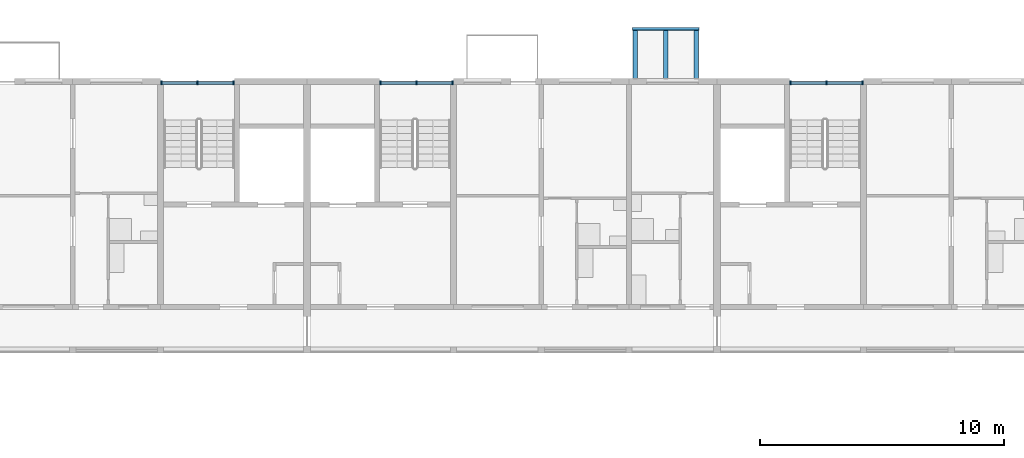
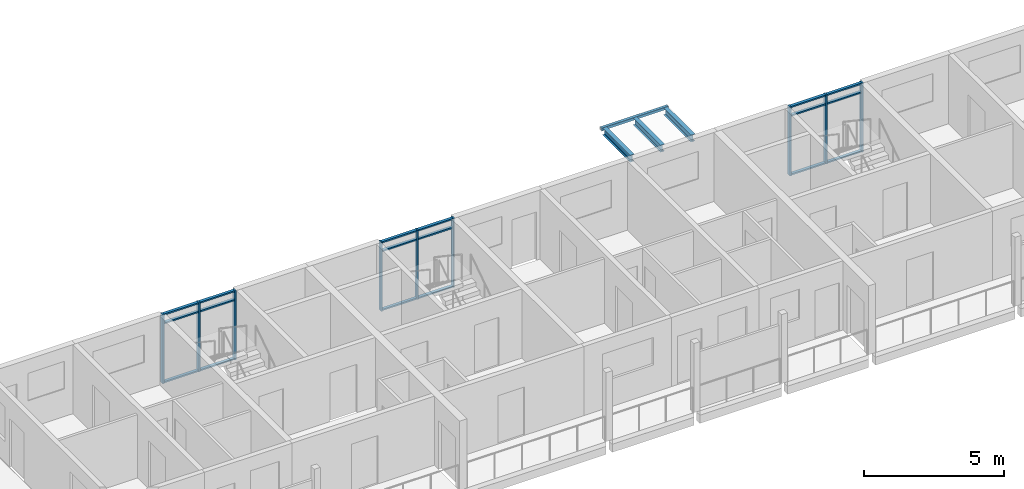
# One storey, part 11 of 93: 27 members, 4 beams, 3 elements without a shape of their own.
"""IFC4 building model written with IfcOpenShell, lengths in metres."""

from ifc_helpers import new_model, si_unit, direction, frame, origin, origin_2d, place, context, subcontext, project, spatial, rectangle, hollow_rectangle, i_section, extrude, material, material_profile, profile_set, type_object, element, aggregate, save


model = new_model("IFC4")

# Units and contexts
model_context = context("Model", 3, precision=1e-05, world=origin(), true_north=direction((0.0, 1.0)))
body_context = subcontext(model_context, "Body", "Model", "MODEL_VIEW")
ifc_project = project(units=[si_unit("LENGTHUNIT", "METRE"), si_unit("AREAUNIT", "SQUARE_METRE"), si_unit("VOLUMEUNIT", "CUBIC_METRE"), si_unit("PLANEANGLEUNIT", "RADIAN"), si_unit("MASSUNIT", "GRAM", prefix="KILO")], contexts=[model_context])

# Site, building, storey
site_placement = place(None, origin())
site = spatial("IfcSite", under=ifc_project, at=site_placement, CompositionType="ELEMENT")
building_placement = place(site_placement, origin())
building = spatial("IfcBuilding", under=site, at=building_placement, Name="Ridgestep Commons", CompositionType="ELEMENT")
storey_placement = place(building_placement, frame((0.0, 0.0, 18.0)))
storey = spatial("IfcBuildingStorey", under=building, at=storey_placement, Name="L06", CompositionType="ELEMENT", Elevation=18.0)

# Curtain wall, members
ifc_material_1 = material(Name="Aluminium 6063-T6 and glass", Category="aluminium")
curtain_wall_type = type_object("IfcCurtainWallType", Name="Curtain wall stair strip", PredefinedType="NOTDEFINED", material=ifc_material_1)
curtain_wall_1_placement = place(storey_placement, origin())
curtain_wall_1 = element("IfcCurtainWall", 1, at=curtain_wall_1_placement, inside=storey, type_object=curtain_wall_type, Name="Curtain wall B1C level 06", PredefinedType="NOTDEFINED")
ifc_material_2 = material(Name="Aluminium 6063-T6", Category="aluminium")
ifc_material_profile_1 = material_profile(ifc_material_2, rectangle(XDim=0.159912109375, YDim=0.06005859375, at=origin_2d()), Name="Mullion 60 x 160")
ifc_profile_set_1 = profile_set([ifc_material_profile_1], Name="Aluminium 6063-T6")
member_type_1 = type_object("IfcMemberType", Name="Mullion 60 x 160", PredefinedType="MULLION", material=ifc_profile_set_1)
member_1_placement = place(storey_placement, frame((22.830078125, 77.080078125, 0.0), z_axis=(0.0, 0.0, 1.0), x_axis=(0.0, 1.0, 0.0)))
member_1 = element("IfcMember", 2, at=member_1_placement, type_object=member_type_1, Name="CW1 mullion 1", PredefinedType="MULLION", context=body_context, shape_type="SweptSolid", body=[
    extrude(rectangle(XDim=0.159912109375, YDim=0.06005859375, at=origin_2d()), origin(), (0.0, 0.0, 1.0), 3.0),
])
member_2_placement = place(storey_placement, frame((24.3125, 77.080078125, 0.0), z_axis=(0.0, 0.0, 1.0), x_axis=(0.0, 1.0, 0.0)))
member_2 = element("IfcMember", 3, at=member_2_placement, type_object=member_type_1, Name="CW1 mullion 2", PredefinedType="MULLION", context=body_context, shape_type="SweptSolid", body=[
    extrude(rectangle(XDim=0.159912109375, YDim=0.06005859375, at=origin_2d()), origin(), (0.0, 0.0, 1.0), 3.0),
])
member_3_placement = place(storey_placement, frame((25.794921875, 77.080078125, 0.0), z_axis=(0.0, 0.0, 1.0), x_axis=(0.0, 1.0, 0.0)))
member_3 = element("IfcMember", 4, at=member_3_placement, type_object=member_type_1, Name="CW1 mullion 3", PredefinedType="MULLION", context=body_context, shape_type="SweptSolid", body=[
    extrude(rectangle(XDim=0.159912109375, YDim=0.06005859375, at=origin_2d()), origin(), (0.0, 0.0, 1.0), 3.0),
])

curtain_wall_2_placement = place(storey_placement, origin())
curtain_wall_2 = element("IfcCurtainWall", 5, at=curtain_wall_2_placement, inside=storey, type_object=curtain_wall_type, Name="Curtain wall B2C level 06", PredefinedType="NOTDEFINED")
member_4_placement = place(storey_placement, frame((31.804931640625, 77.080078125, 0.0), z_axis=(0.0, 0.0, 1.0), x_axis=(0.0, 1.0, 0.0)))
member_4 = element("IfcMember", 6, at=member_4_placement, type_object=member_type_1, Name="CW1 mullion 1", PredefinedType="MULLION", context=body_context, shape_type="SweptSolid", body=[
    extrude(rectangle(XDim=0.159912109375, YDim=0.06005859375, at=origin_2d()), origin(), (0.0, 0.0, 1.0), 3.0),
])
member_5_placement = place(storey_placement, frame((33.28759765625, 77.080078125, 0.0), z_axis=(0.0, 0.0, 1.0), x_axis=(0.0, 1.0, 0.0)))
member_5 = element("IfcMember", 7, at=member_5_placement, type_object=member_type_1, Name="CW1 mullion 2", PredefinedType="MULLION", context=body_context, shape_type="SweptSolid", body=[
    extrude(rectangle(XDim=0.159912109375, YDim=0.06005859375, at=origin_2d()), origin(), (0.0, 0.0, 1.0), 3.0),
])
member_6_placement = place(storey_placement, frame((34.77001953125, 77.080078125, 0.0), z_axis=(0.0, 0.0, 1.0), x_axis=(0.0, 1.0, 0.0)))
member_6 = element("IfcMember", 8, at=member_6_placement, type_object=member_type_1, Name="CW1 mullion 3", PredefinedType="MULLION", context=body_context, shape_type="SweptSolid", body=[
    extrude(rectangle(XDim=0.159912109375, YDim=0.06005859375, at=origin_2d()), origin(), (0.0, 0.0, 1.0), 3.0),
])

curtain_wall_3_placement = place(storey_placement, origin())
curtain_wall_3 = element("IfcCurtainWall", 9, at=curtain_wall_3_placement, inside=storey, type_object=curtain_wall_type, Name="Curtain wall B3C level 06", PredefinedType="NOTDEFINED")
member_7_placement = place(storey_placement, frame((48.60498046875, 77.080078125, 0.0), z_axis=(0.0, 0.0, 1.0), x_axis=(0.0, 1.0, 0.0)))
member_7 = element("IfcMember", 10, at=member_7_placement, type_object=member_type_1, Name="CW1 mullion 1", PredefinedType="MULLION", context=body_context, shape_type="SweptSolid", body=[
    extrude(rectangle(XDim=0.159912109375, YDim=0.06005859375, at=origin_2d()), origin(), (0.0, 0.0, 1.0), 3.0),
])
member_8_placement = place(storey_placement, frame((50.08740234375, 77.080078125, 0.0), z_axis=(0.0, 0.0, 1.0), x_axis=(0.0, 1.0, 0.0)))
member_8 = element("IfcMember", 11, at=member_8_placement, type_object=member_type_1, Name="CW1 mullion 2", PredefinedType="MULLION", context=body_context, shape_type="SweptSolid", body=[
    extrude(rectangle(XDim=0.159912109375, YDim=0.06005859375, at=origin_2d()), origin(), (0.0, 0.0, 1.0), 3.0),
])
member_9_placement = place(storey_placement, frame((51.570068359375, 77.080078125, 0.0), z_axis=(0.0, 0.0, 1.0), x_axis=(0.0, 1.0, 0.0)))
member_9 = element("IfcMember", 12, at=member_9_placement, type_object=member_type_1, Name="CW1 mullion 3", PredefinedType="MULLION", context=body_context, shape_type="SweptSolid", body=[
    extrude(rectangle(XDim=0.159912109375, YDim=0.06005859375, at=origin_2d()), origin(), (0.0, 0.0, 1.0), 3.0),
])

# Member
ifc_material_3 = material(Name="Aluminium 6063-T6", Category="aluminium")
ifc_material_profile_2 = material_profile(ifc_material_3, rectangle(XDim=0.1201171875, YDim=0.06005859375, at=origin_2d()), Name="Transom 60 x 120")
ifc_profile_set_2 = profile_set([ifc_material_profile_2], Name="Aluminium 6063-T6")
member_type_2 = type_object("IfcMemberType", Name="Transom 60 x 120", PredefinedType="USERDEFINED", material=ifc_profile_set_2)
member_10_placement = place(storey_placement, frame((22.860107421875, 77.080078125, 0.030029296875), z_axis=(1.0, 0.0, 0.0), x_axis=(0.0, 1.0, 0.0)))
member_10 = element("IfcMember", 13, at=member_10_placement, type_object=member_type_2, Name="CW1 transom 1.1", ObjectType="TRANSOM", PredefinedType="USERDEFINED", context=body_context, shape_type="SweptSolid", body=[
    extrude(rectangle(XDim=0.1201171875, YDim=0.06005859375, at=origin_2d()), origin(), (0.0, 0.0, 1.0), 1.42236328125),
])

member_11_placement = place(storey_placement, frame((22.860107421875, 77.080078125, 2.590087890625), z_axis=(1.0, 0.0, 0.0), x_axis=(0.0, 1.0, 0.0)))
member_11 = element("IfcMember", 14, at=member_11_placement, type_object=member_type_2, Name="CW1 transom 1.2", ObjectType="TRANSOM", PredefinedType="USERDEFINED", context=body_context, shape_type="SweptSolid", body=[
    extrude(rectangle(XDim=0.1201171875, YDim=0.06005859375, at=origin_2d()), origin(), (0.0, 0.0, 1.0), 1.42236328125),
])

member_12_placement = place(storey_placement, frame((22.860107421875, 77.080078125, 2.969970703125), z_axis=(1.0, 0.0, 0.0), x_axis=(0.0, 1.0, 0.0)))
member_12 = element("IfcMember", 15, at=member_12_placement, type_object=member_type_2, Name="CW1 transom 1.3", ObjectType="TRANSOM", PredefinedType="USERDEFINED", context=body_context, shape_type="SweptSolid", body=[
    extrude(rectangle(XDim=0.1201171875, YDim=0.06005859375, at=origin_2d()), origin(), (0.0, 0.0, 1.0), 1.42236328125),
])

member_13_placement = place(storey_placement, frame((24.342529296875, 77.080078125, 0.030029296875), z_axis=(1.0, 0.0, 0.0), x_axis=(0.0, 1.0, 0.0)))
member_13 = element("IfcMember", 16, at=member_13_placement, type_object=member_type_2, Name="CW1 transom 2.1", ObjectType="TRANSOM", PredefinedType="USERDEFINED", context=body_context, shape_type="SweptSolid", body=[
    extrude(rectangle(XDim=0.1201171875, YDim=0.06005859375, at=origin_2d()), origin(), (0.0, 0.0, 1.0), 1.42236328125),
])

member_14_placement = place(storey_placement, frame((24.342529296875, 77.080078125, 2.590087890625), z_axis=(1.0, 0.0, 0.0), x_axis=(0.0, 1.0, 0.0)))
member_14 = element("IfcMember", 17, at=member_14_placement, type_object=member_type_2, Name="CW1 transom 2.2", ObjectType="TRANSOM", PredefinedType="USERDEFINED", context=body_context, shape_type="SweptSolid", body=[
    extrude(rectangle(XDim=0.1201171875, YDim=0.06005859375, at=origin_2d()), origin(), (0.0, 0.0, 1.0), 1.42236328125),
])

member_15_placement = place(storey_placement, frame((24.342529296875, 77.080078125, 2.969970703125), z_axis=(1.0, 0.0, 0.0), x_axis=(0.0, 1.0, 0.0)))
member_15 = element("IfcMember", 18, at=member_15_placement, type_object=member_type_2, Name="CW1 transom 2.3", ObjectType="TRANSOM", PredefinedType="USERDEFINED", context=body_context, shape_type="SweptSolid", body=[
    extrude(rectangle(XDim=0.1201171875, YDim=0.06005859375, at=origin_2d()), origin(), (0.0, 0.0, 1.0), 1.42236328125),
])

aggregate(curtain_wall_1, [member_1, member_2, member_3, member_10, member_11, member_12, member_13, member_14, member_15])

member_16_placement = place(storey_placement, frame((31.8349609375, 77.080078125, 0.030029296875), z_axis=(1.0, 0.0, 0.0), x_axis=(0.0, 1.0, 0.0)))
member_16 = element("IfcMember", 19, at=member_16_placement, type_object=member_type_2, Name="CW1 transom 1.1", ObjectType="TRANSOM", PredefinedType="USERDEFINED", context=body_context, shape_type="SweptSolid", body=[
    extrude(rectangle(XDim=0.1201171875, YDim=0.06005859375, at=origin_2d()), origin(), (0.0, 0.0, 1.0), 1.422607421875),
])

member_17_placement = place(storey_placement, frame((31.8349609375, 77.080078125, 2.590087890625), z_axis=(1.0, 0.0, 0.0), x_axis=(0.0, 1.0, 0.0)))
member_17 = element("IfcMember", 20, at=member_17_placement, type_object=member_type_2, Name="CW1 transom 1.2", ObjectType="TRANSOM", PredefinedType="USERDEFINED", context=body_context, shape_type="SweptSolid", body=[
    extrude(rectangle(XDim=0.1201171875, YDim=0.06005859375, at=origin_2d()), origin(), (0.0, 0.0, 1.0), 1.422607421875),
])

member_18_placement = place(storey_placement, frame((31.8349609375, 77.080078125, 2.969970703125), z_axis=(1.0, 0.0, 0.0), x_axis=(0.0, 1.0, 0.0)))
member_18 = element("IfcMember", 21, at=member_18_placement, type_object=member_type_2, Name="CW1 transom 1.3", ObjectType="TRANSOM", PredefinedType="USERDEFINED", context=body_context, shape_type="SweptSolid", body=[
    extrude(rectangle(XDim=0.1201171875, YDim=0.06005859375, at=origin_2d()), origin(), (0.0, 0.0, 1.0), 1.422607421875),
])

member_19_placement = place(storey_placement, frame((33.3173828125, 77.080078125, 0.030029296875), z_axis=(1.0, 0.0, 0.0), x_axis=(0.0, 1.0, 0.0)))
member_19 = element("IfcMember", 22, at=member_19_placement, type_object=member_type_2, Name="CW1 transom 2.1", ObjectType="TRANSOM", PredefinedType="USERDEFINED", context=body_context, shape_type="SweptSolid", body=[
    extrude(rectangle(XDim=0.1201171875, YDim=0.06005859375, at=origin_2d()), origin(), (0.0, 0.0, 1.0), 1.422607421875),
])

member_20_placement = place(storey_placement, frame((33.3173828125, 77.080078125, 2.590087890625), z_axis=(1.0, 0.0, 0.0), x_axis=(0.0, 1.0, 0.0)))
member_20 = element("IfcMember", 23, at=member_20_placement, type_object=member_type_2, Name="CW1 transom 2.2", ObjectType="TRANSOM", PredefinedType="USERDEFINED", context=body_context, shape_type="SweptSolid", body=[
    extrude(rectangle(XDim=0.1201171875, YDim=0.06005859375, at=origin_2d()), origin(), (0.0, 0.0, 1.0), 1.422607421875),
])

member_21_placement = place(storey_placement, frame((33.3173828125, 77.080078125, 2.969970703125), z_axis=(1.0, 0.0, 0.0), x_axis=(0.0, 1.0, 0.0)))
member_21 = element("IfcMember", 24, at=member_21_placement, type_object=member_type_2, Name="CW1 transom 2.3", ObjectType="TRANSOM", PredefinedType="USERDEFINED", context=body_context, shape_type="SweptSolid", body=[
    extrude(rectangle(XDim=0.1201171875, YDim=0.06005859375, at=origin_2d()), origin(), (0.0, 0.0, 1.0), 1.422607421875),
])

aggregate(curtain_wall_2, [member_4, member_5, member_6, member_16, member_17, member_18, member_19, member_20, member_21])

member_22_placement = place(storey_placement, frame((48.635009765625, 77.080078125, 0.030029296875), z_axis=(1.0, 0.0, 0.0), x_axis=(0.0, 1.0, 0.0)))
member_22 = element("IfcMember", 25, at=member_22_placement, type_object=member_type_2, Name="CW1 transom 1.1", ObjectType="TRANSOM", PredefinedType="USERDEFINED", context=body_context, shape_type="SweptSolid", body=[
    extrude(rectangle(XDim=0.1201171875, YDim=0.06005859375, at=origin_2d()), origin(), (0.0, 0.0, 1.0), 1.422607421875),
])

member_23_placement = place(storey_placement, frame((48.635009765625, 77.080078125, 2.590087890625), z_axis=(1.0, 0.0, 0.0), x_axis=(0.0, 1.0, 0.0)))
member_23 = element("IfcMember", 26, at=member_23_placement, type_object=member_type_2, Name="CW1 transom 1.2", ObjectType="TRANSOM", PredefinedType="USERDEFINED", context=body_context, shape_type="SweptSolid", body=[
    extrude(rectangle(XDim=0.1201171875, YDim=0.06005859375, at=origin_2d()), origin(), (0.0, 0.0, 1.0), 1.422607421875),
])

member_24_placement = place(storey_placement, frame((48.635009765625, 77.080078125, 2.969970703125), z_axis=(1.0, 0.0, 0.0), x_axis=(0.0, 1.0, 0.0)))
member_24 = element("IfcMember", 27, at=member_24_placement, type_object=member_type_2, Name="CW1 transom 1.3", ObjectType="TRANSOM", PredefinedType="USERDEFINED", context=body_context, shape_type="SweptSolid", body=[
    extrude(rectangle(XDim=0.1201171875, YDim=0.06005859375, at=origin_2d()), origin(), (0.0, 0.0, 1.0), 1.422607421875),
])

member_25_placement = place(storey_placement, frame((50.117431640625, 77.080078125, 0.030029296875), z_axis=(1.0, 0.0, 0.0), x_axis=(0.0, 1.0, 0.0)))
member_25 = element("IfcMember", 28, at=member_25_placement, type_object=member_type_2, Name="CW1 transom 2.1", ObjectType="TRANSOM", PredefinedType="USERDEFINED", context=body_context, shape_type="SweptSolid", body=[
    extrude(rectangle(XDim=0.1201171875, YDim=0.06005859375, at=origin_2d()), origin(), (0.0, 0.0, 1.0), 1.422607421875),
])

member_26_placement = place(storey_placement, frame((50.117431640625, 77.080078125, 2.590087890625), z_axis=(1.0, 0.0, 0.0), x_axis=(0.0, 1.0, 0.0)))
member_26 = element("IfcMember", 29, at=member_26_placement, type_object=member_type_2, Name="CW1 transom 2.2", ObjectType="TRANSOM", PredefinedType="USERDEFINED", context=body_context, shape_type="SweptSolid", body=[
    extrude(rectangle(XDim=0.1201171875, YDim=0.06005859375, at=origin_2d()), origin(), (0.0, 0.0, 1.0), 1.422607421875),
])

member_27_placement = place(storey_placement, frame((50.117431640625, 77.080078125, 2.969970703125), z_axis=(1.0, 0.0, 0.0), x_axis=(0.0, 1.0, 0.0)))
member_27 = element("IfcMember", 30, at=member_27_placement, type_object=member_type_2, Name="CW1 transom 2.3", ObjectType="TRANSOM", PredefinedType="USERDEFINED", context=body_context, shape_type="SweptSolid", body=[
    extrude(rectangle(XDim=0.1201171875, YDim=0.06005859375, at=origin_2d()), origin(), (0.0, 0.0, 1.0), 1.422607421875),
])

aggregate(curtain_wall_3, [member_7, member_8, member_9, member_22, member_23, member_24, member_25, member_26, member_27])

# Beams
ifc_material_4 = material(Name="Weathering steel S355J2W", Category="steel")
ifc_material_profile_3 = material_profile(ifc_material_4, i_section(OverallWidth=0.1650390625, OverallDepth=0.303466796875, WebThickness=0.006103515625, FlangeThickness=0.01025390625, FilletRadius=0.0087890625, at=origin_2d()), Name="UB 305x165x40")
ifc_profile_set_3 = profile_set([ifc_material_profile_3], Name="Weathering steel S355J2W")
beam_type_1 = type_object("IfcBeamType", Name="Tray arm UB 305x165x40", PredefinedType="BEAM", material=ifc_profile_set_3)
for number, where, z_axis, x_axis, name in (
    (31, (42.25, 77.264892578125, 2.83837890625), (0.0, 1.0, 0.0), (-1.0, 0.0, 0.0), "Tray arm B2T1-07.1"),
    (32, (43.5, 77.264892578125, 2.83837890625), (0.0, 1.0, 0.0), (-1.0, 0.0, 0.0), "Tray arm B2T1-07.2"),
    (33, (44.75, 77.264892578125, 2.83837890625), (0.0, 1.0, 0.0), (-1.0, 0.0, 0.0), "Tray arm B2T1-07.3"),
):
    element("IfcBeam", number, at=place(storey_placement, frame(where, z_axis=z_axis, x_axis=x_axis)), inside=storey, type_object=beam_type_1, Name=name, PredefinedType="BEAM", context=body_context, shape_type="SweptSolid", body=[
        extrude(i_section(OverallWidth=0.1650390625, OverallDepth=0.303466796875, WebThickness=0.006103515625, FlangeThickness=0.01025390625, FilletRadius=0.0087890625, at=origin_2d()), origin(), (0.0, 0.0, 1.0), 1.965087890625),
    ])
ifc_material_5 = material(Name="Weathering steel S355J2W", Category="steel")
ifc_material_profile_4 = material_profile(ifc_material_5, hollow_rectangle(XDim=0.1201171875, YDim=0.1201171875, WallThickness=0.00634765625, InnerFilletRadius=0.00634765625, OuterFilletRadius=0.009521484375, at=origin_2d()), Name="SHS 120x120x6.3")
ifc_profile_set_4 = profile_set([ifc_material_profile_4], Name="Weathering steel S355J2W")
beam_type_2 = type_object("IfcBeamType", Name="Tray edge member SHS 120x120x6.3", PredefinedType="BEAM", material=ifc_profile_set_4)
beam_placement = place(storey_placement, frame((42.1298828125, 79.2900390625, 2.929931640625), z_axis=(1.0, 0.0, 0.0), x_axis=(0.0, 0.0, 1.0)))
element("IfcBeam", 34, at=beam_placement, inside=storey, type_object=beam_type_2, Name="Tray edge member B2T1-07", PredefinedType="BEAM", context=body_context, shape_type="SweptSolid", body=[
    extrude(hollow_rectangle(XDim=0.1201171875, YDim=0.1201171875, WallThickness=0.00634765625, InnerFilletRadius=0.00634765625, OuterFilletRadius=0.009521484375, at=origin_2d()), origin(), (0.0, 0.0, 1.0), 2.740234375),
])

save(model, "model.ifc")
